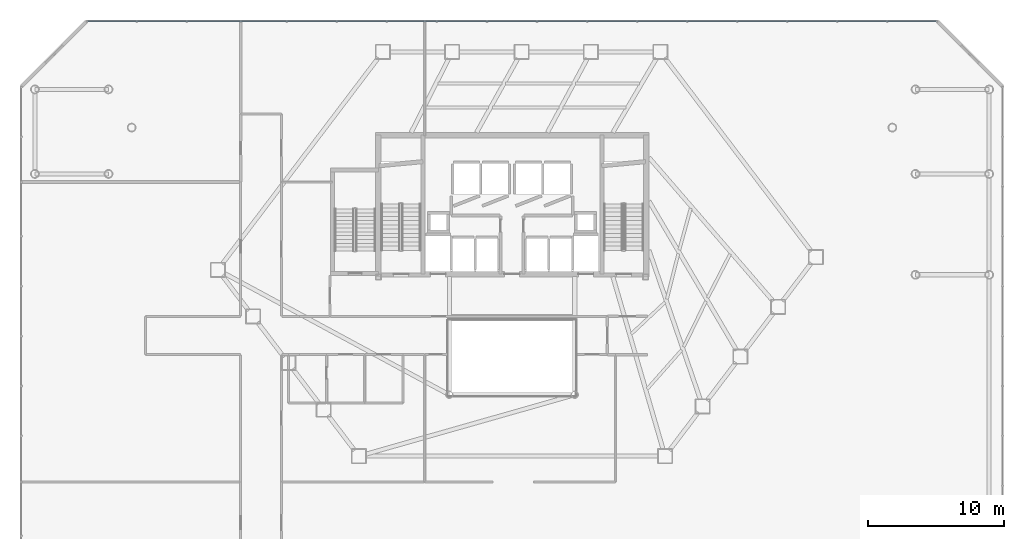
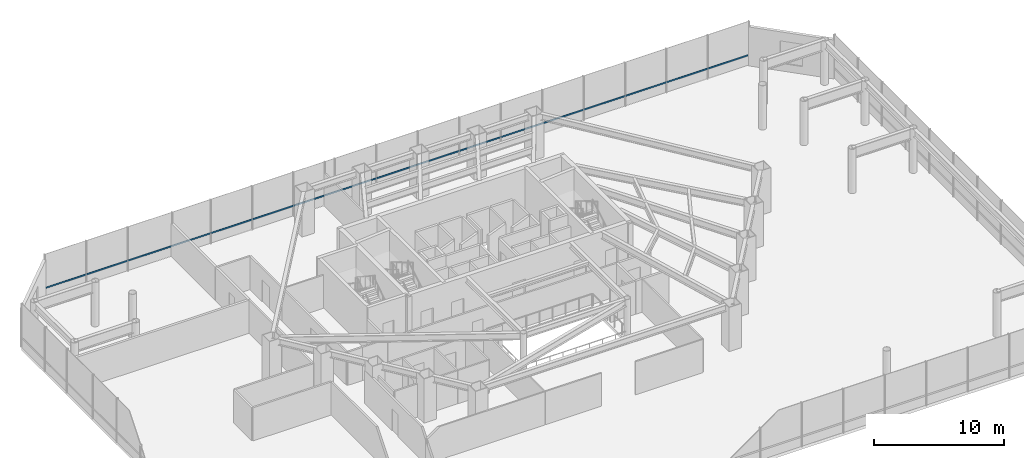
# One storey, part 22 of 37: 1 member, 1 element without a shape of its own.
"""IFC4 building model written with IfcOpenShell, lengths in metres."""

from ifc_helpers import new_model, si_unit, direction, frame, origin, origin_2d, place, context, subcontext, project, spatial, hollow_rectangle, extrude, material, layer, layer_set, material_profile, profile_set, type_object, element, aggregate, save


model = new_model("IFC4")

# Units and contexts
model_context = context("Model", 3, precision=1e-05, world=origin(), true_north=direction((0.0, 1.0)))
body_context = subcontext(model_context, "Body", "Model", "MODEL_VIEW")
ifc_project = project(units=[si_unit("LENGTHUNIT", "METRE"), si_unit("AREAUNIT", "SQUARE_METRE"), si_unit("VOLUMEUNIT", "CUBIC_METRE"), si_unit("PLANEANGLEUNIT", "RADIAN"), si_unit("MASSUNIT", "GRAM", prefix="KILO")], contexts=[model_context])

# Site, building, storey
site_placement = place(None, origin())
site = spatial("IfcSite", under=ifc_project, at=site_placement, CompositionType="ELEMENT")
building_placement = place(site_placement, origin())
building = spatial("IfcBuilding", under=site, at=building_placement, Name="Zarrinselat Tower", CompositionType="ELEMENT")
storey_placement = place(building_placement, frame((0.0, 0.0, 9.52001953125)))
storey = spatial("IfcBuildingStorey", under=building, at=storey_placement, Name="L02", CompositionType="ELEMENT", Elevation=9.52001953125)

# Curtain wall, member
ifc_material_1 = material(Name="Extruded Aluminium Alloy EN AW-6063 T6", Category="aluminium")
ifc_layer = layer(ifc_material_1, 0.2099609375)
ifc_layer_set = layer_set([ifc_layer], Name="Extruded Aluminium Alloy EN AW-6063 T6")
curtain_wall_type = type_object("IfcCurtainWallType", Name="CWS-POD", PredefinedType="NOTDEFINED", material=ifc_layer_set)
curtain_wall_placement = place(storey_placement, origin())
curtain_wall = element("IfcCurtainWall", 1, at=curtain_wall_placement, inside=storey, type_object=curtain_wall_type, Name="L02 Unitised Curtain Wall CW-L02-F5", PredefinedType="NOTDEFINED")
ifc_material_2 = material(Name="Extruded Aluminium Alloy EN AW-6063 T6", Category="aluminium")
ifc_material_profile = material_profile(ifc_material_2, hollow_rectangle(XDim=0.06005859375, YDim=0.139892578125, WallThickness=0.00390625, at=origin_2d()), Name="RHS 140x60x4")
ifc_profile_set = profile_set([ifc_material_profile], Name="Extruded Aluminium Alloy EN AW-6063 T6")
member_type = type_object("IfcMemberType", Name="MEM-CW-TRN", PredefinedType="USERDEFINED", material=ifc_profile_set)
member_placement = place(storey_placement, frame((69.510009765625, 51.800048828125, 0.949951171875), z_axis=(-1.0, 0.0, 0.0), x_axis=(0.0, -1.0, 0.0)))
member = element("IfcMember", 2, at=member_placement, type_object=member_type, Name="CW-L02-F5 Transom 1", ObjectType="TRANSOM", PredefinedType="USERDEFINED", context=body_context, shape_type="SweptSolid", body=[
    extrude(hollow_rectangle(XDim=0.06005859375, YDim=0.139892578125, WallThickness=0.00390625, at=origin_2d()), origin(), (0.0, 0.0, 1.0), 62.219970703125),
])
aggregate(curtain_wall, [member])

save(model, "model.ifc")
